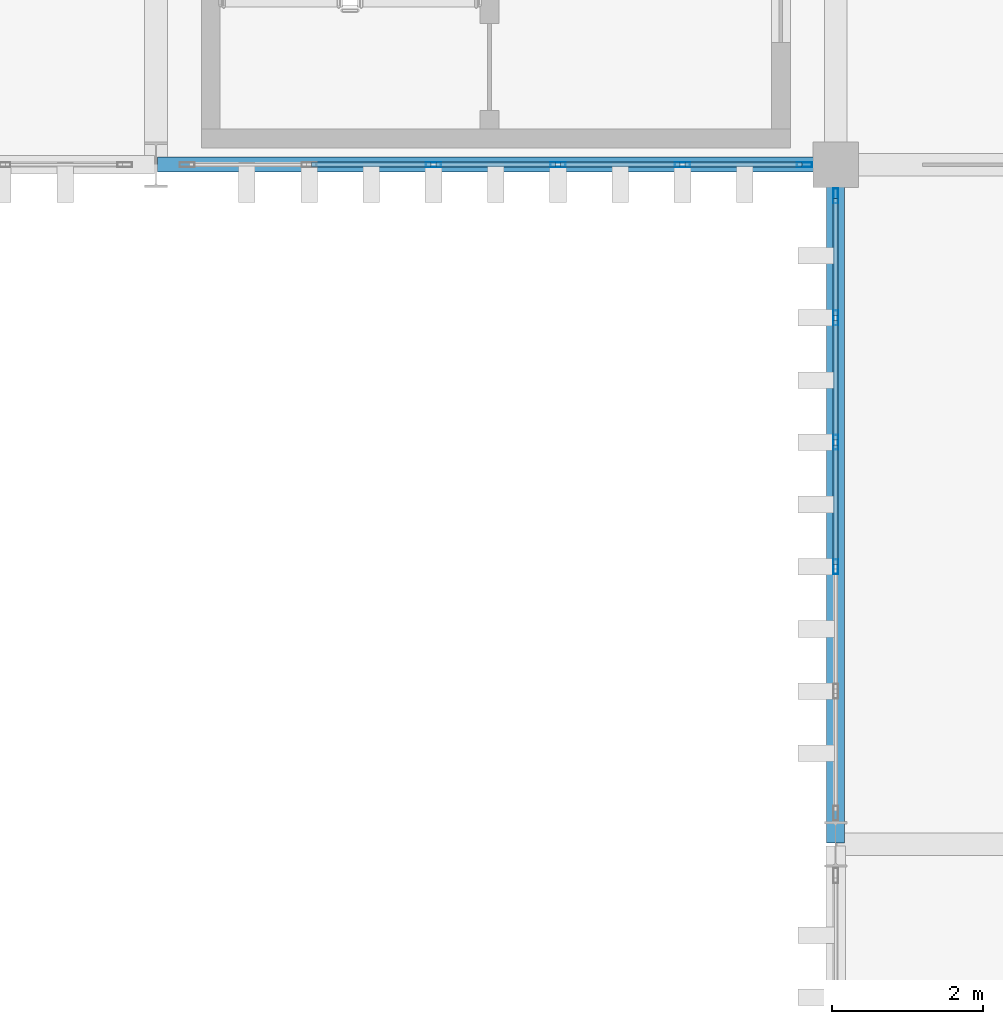
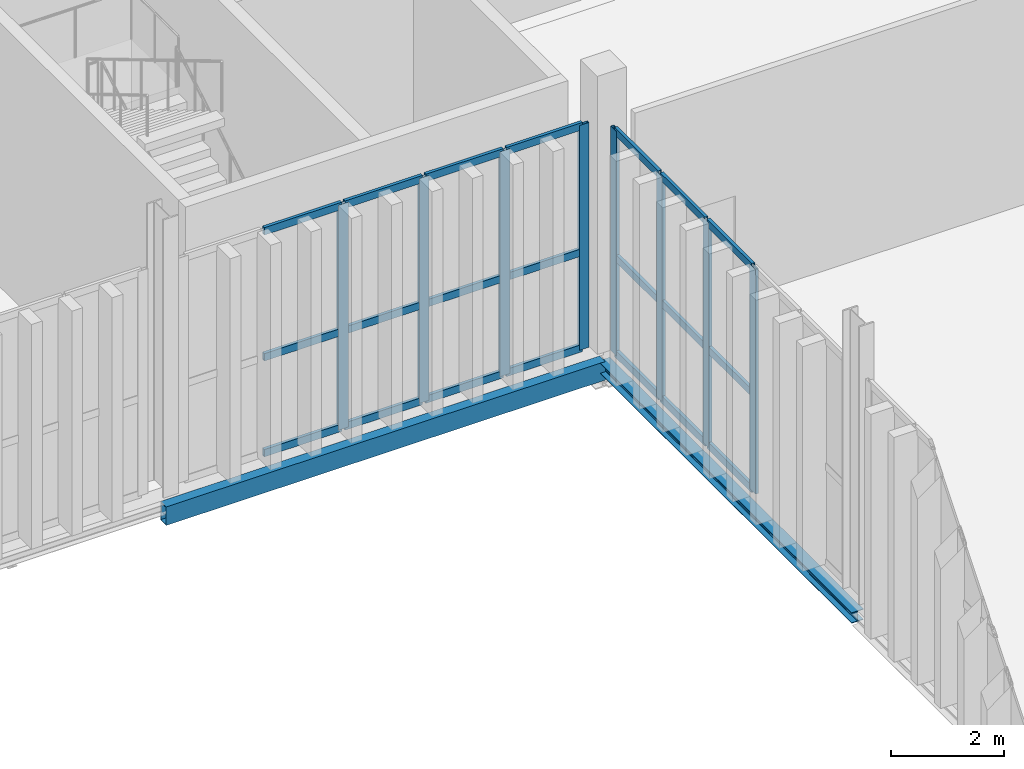
# One storey, part 86 of 237: 29 members, 2 beams, 2 elements without a shape of their own.
"""IFC4 building model written with IfcOpenShell, lengths in metres."""

from ifc_helpers import new_model, si_unit, direction, frame, origin, origin_2d, place, context, subcontext, project, spatial, hollow_rectangle, i_section, extrude, material, layer, layer_set, material_profile, profile_set, type_object, element, aggregate, save


model = new_model("IFC4")

# Units and contexts
model_context = context("Model", 3, precision=1e-05, world=origin(), true_north=direction((0.0, 1.0)))
body_context = subcontext(model_context, "Body", "Model", "MODEL_VIEW")
ifc_project = project(units=[si_unit("LENGTHUNIT", "METRE"), si_unit("AREAUNIT", "SQUARE_METRE"), si_unit("VOLUMEUNIT", "CUBIC_METRE"), si_unit("PLANEANGLEUNIT", "RADIAN"), si_unit("MASSUNIT", "GRAM", prefix="KILO")], contexts=[model_context])

# Site, building, storey
site_placement = place(None, origin())
site = spatial("IfcSite", under=ifc_project, at=site_placement, CompositionType="ELEMENT")
building_placement = place(site_placement, origin())
building = spatial("IfcBuilding", under=site, at=building_placement, Name="Barlavento Convention Centre", CompositionType="ELEMENT")
storey_placement = place(building_placement, frame((0.0, 0.0, 12.0)))
storey = spatial("IfcBuildingStorey", under=building, at=storey_placement, Name="L02", CompositionType="ELEMENT", Elevation=12.0)

# Curtain wall, members
ifc_material_1 = material(Name="Powder-coated aluminium and Low-E glass", Category="aluminium")
ifc_layer = layer(ifc_material_1, 0.195068359375)
ifc_layer_set = layer_set([ifc_layer], Name="ARC-CW-BALL-L02")
curtain_wall_type = type_object("IfcCurtainWallType", Name="ARC-CW-BALL-L02", PredefinedType="NOTDEFINED", material=ifc_layer_set)
curtain_wall_1_placement = place(storey_placement, origin())
curtain_wall_1 = element("IfcCurtainWall", 1, at=curtain_wall_1_placement, inside=storey, type_object=curtain_wall_type, Name="L02 unitised curtain wall CW07", PredefinedType="NOTDEFINED")
ifc_material_2 = material(Name="Powder-coated aluminium", Category="aluminium")
ifc_material_profile_1 = material_profile(ifc_material_2, hollow_rectangle(XDim=0.06494140625, YDim=0.199951171875, WallThickness=0.0048828125, at=origin_2d()), Name="AL-MULL 65x200x5")
ifc_profile_set_1 = profile_set([ifc_material_profile_1], Name="Powder-coated aluminium")
member_type_1 = type_object("IfcMemberType", Name="ARC-CWM-65X200", PredefinedType="MULLION", material=ifc_profile_set_1)
member_1_placement = place(storey_placement, frame((120.676025390625, 45.0, 0.0), z_axis=(0.0, 0.0, 1.0), x_axis=(0.0, 1.0, 0.0)))
member_1 = element("IfcMember", 2, at=member_1_placement, type_object=member_type_1, Name="CW07 mullion 3", PredefinedType="MULLION", context=body_context, shape_type="SweptSolid", body=[
    extrude(hollow_rectangle(XDim=0.06494140625, YDim=0.199951171875, WallThickness=0.0048828125, at=origin_2d()), origin(), (0.0, 0.0, 1.0), 4.85009765625),
])
member_2_placement = place(storey_placement, frame((122.323974609375, 45.0, 0.0), z_axis=(0.0, 0.0, 1.0), x_axis=(0.0, 1.0, 0.0)))
member_2 = element("IfcMember", 3, at=member_2_placement, type_object=member_type_1, Name="CW07 mullion 4", PredefinedType="MULLION", context=body_context, shape_type="SweptSolid", body=[
    extrude(hollow_rectangle(XDim=0.06494140625, YDim=0.199951171875, WallThickness=0.0048828125, at=origin_2d()), origin(), (0.0, 0.0, 1.0), 4.85009765625),
])
member_3_placement = place(storey_placement, frame((123.971923828125, 45.0, 0.0), z_axis=(0.0, 0.0, 1.0), x_axis=(0.0, 1.0, 0.0)))
member_3 = element("IfcMember", 4, at=member_3_placement, type_object=member_type_1, Name="CW07 mullion 5", PredefinedType="MULLION", context=body_context, shape_type="SweptSolid", body=[
    extrude(hollow_rectangle(XDim=0.06494140625, YDim=0.199951171875, WallThickness=0.0048828125, at=origin_2d()), origin(), (0.0, 0.0, 1.0), 4.85009765625),
])
member_4_placement = place(storey_placement, frame((125.58740234375, 45.0, 0.0), z_axis=(0.0, 0.0, 1.0), x_axis=(0.0, 1.0, 0.0)))
member_4 = element("IfcMember", 5, at=member_4_placement, type_object=member_type_1, Name="CW07 mullion 6", PredefinedType="MULLION", context=body_context, shape_type="SweptSolid", body=[
    extrude(hollow_rectangle(XDim=0.06494140625, YDim=0.199951171875, WallThickness=0.0048828125, at=origin_2d()), origin(), (0.0, 0.0, 1.0), 4.85009765625),
])

curtain_wall_2_placement = place(storey_placement, origin())
curtain_wall_2 = element("IfcCurtainWall", 6, at=curtain_wall_2_placement, inside=storey, type_object=curtain_wall_type, Name="L02 unitised curtain wall CW07", PredefinedType="NOTDEFINED")
member_5_placement = place(storey_placement, frame((126.0, 39.676025390625, 0.0), z_axis=(0.0, 0.0, 1.0), x_axis=(-1.0, 0.0, 0.0)))
member_5 = element("IfcMember", 7, at=member_5_placement, type_object=member_type_1, Name="CW07 mullion 3", PredefinedType="MULLION", context=body_context, shape_type="SweptSolid", body=[
    extrude(hollow_rectangle(XDim=0.06494140625, YDim=0.199951171875, WallThickness=0.0048828125, at=origin_2d()), origin(), (0.0, 0.0, 1.0), 4.85009765625),
])
member_6_placement = place(storey_placement, frame((126.0, 41.323974609375, 0.0), z_axis=(0.0, 0.0, 1.0), x_axis=(-1.0, 0.0, 0.0)))
member_6 = element("IfcMember", 8, at=member_6_placement, type_object=member_type_1, Name="CW07 mullion 4", PredefinedType="MULLION", context=body_context, shape_type="SweptSolid", body=[
    extrude(hollow_rectangle(XDim=0.06494140625, YDim=0.199951171875, WallThickness=0.0048828125, at=origin_2d()), origin(), (0.0, 0.0, 1.0), 4.85009765625),
])
member_7_placement = place(storey_placement, frame((126.0, 42.971923828125, 0.0), z_axis=(0.0, 0.0, 1.0), x_axis=(-1.0, 0.0, 0.0)))
member_7 = element("IfcMember", 9, at=member_7_placement, type_object=member_type_1, Name="CW07 mullion 5", PredefinedType="MULLION", context=body_context, shape_type="SweptSolid", body=[
    extrude(hollow_rectangle(XDim=0.06494140625, YDim=0.199951171875, WallThickness=0.0048828125, at=origin_2d()), origin(), (0.0, 0.0, 1.0), 4.85009765625),
])
member_8_placement = place(storey_placement, frame((126.0, 44.58740234375, 0.0), z_axis=(0.0, 0.0, 1.0), x_axis=(-1.0, 0.0, 0.0)))
member_8 = element("IfcMember", 10, at=member_8_placement, type_object=member_type_1, Name="CW07 mullion 6", PredefinedType="MULLION", context=body_context, shape_type="SweptSolid", body=[
    extrude(hollow_rectangle(XDim=0.06494140625, YDim=0.199951171875, WallThickness=0.0048828125, at=origin_2d()), origin(), (0.0, 0.0, 1.0), 4.85009765625),
])

# Member
ifc_material_profile_2 = material_profile(ifc_material_2, hollow_rectangle(XDim=0.06494140625, YDim=0.159912109375, WallThickness=0.0048828125, at=origin_2d()), Name="AL-TRAN 65x160x5")
ifc_profile_set_2 = profile_set([ifc_material_profile_2], Name="Powder-coated aluminium")
member_type_2 = type_object("IfcMemberType", Name="ARC-CWT-65X160", PredefinedType="USERDEFINED", material=ifc_profile_set_2)
member_9_placement = place(storey_placement, frame((119.060546875, 45.0, 0.032470703125), z_axis=(1.0, 0.0, 0.0), x_axis=(0.0, 1.0, 0.0)))
member_9 = element("IfcMember", 11, at=member_9_placement, type_object=member_type_2, Name="CW07 transom 2.1", ObjectType="TRANSOM", PredefinedType="USERDEFINED", context=body_context, shape_type="SweptSolid", body=[
    extrude(hollow_rectangle(XDim=0.06494140625, YDim=0.159912109375, WallThickness=0.0048828125, at=origin_2d()), origin(), (0.0, 0.0, 1.0), 1.5830078125),
])

member_10_placement = place(storey_placement, frame((119.060546875, 45.0, 2.10009765625), z_axis=(1.0, 0.0, 0.0), x_axis=(0.0, 1.0, 0.0)))
member_10 = element("IfcMember", 12, at=member_10_placement, type_object=member_type_2, Name="CW07 transom 2.2", ObjectType="TRANSOM", PredefinedType="USERDEFINED", context=body_context, shape_type="SweptSolid", body=[
    extrude(hollow_rectangle(XDim=0.06494140625, YDim=0.159912109375, WallThickness=0.0048828125, at=origin_2d()), origin(), (0.0, 0.0, 1.0), 1.5830078125),
])

member_11_placement = place(storey_placement, frame((119.060546875, 45.0, 4.8173828125), z_axis=(1.0, 0.0, 0.0), x_axis=(0.0, 1.0, 0.0)))
member_11 = element("IfcMember", 13, at=member_11_placement, type_object=member_type_2, Name="CW07 transom 2.3", ObjectType="TRANSOM", PredefinedType="USERDEFINED", context=body_context, shape_type="SweptSolid", body=[
    extrude(hollow_rectangle(XDim=0.06494140625, YDim=0.159912109375, WallThickness=0.0048828125, at=origin_2d()), origin(), (0.0, 0.0, 1.0), 1.5830078125),
])

member_12_placement = place(storey_placement, frame((120.70849609375, 45.0, 0.032470703125), z_axis=(1.0, 0.0, 0.0), x_axis=(0.0, 1.0, 0.0)))
member_12 = element("IfcMember", 14, at=member_12_placement, type_object=member_type_2, Name="CW07 transom 3.1", ObjectType="TRANSOM", PredefinedType="USERDEFINED", context=body_context, shape_type="SweptSolid", body=[
    extrude(hollow_rectangle(XDim=0.06494140625, YDim=0.159912109375, WallThickness=0.0048828125, at=origin_2d()), origin(), (0.0, 0.0, 1.0), 1.5830078125),
])

member_13_placement = place(storey_placement, frame((120.70849609375, 45.0, 2.10009765625), z_axis=(1.0, 0.0, 0.0), x_axis=(0.0, 1.0, 0.0)))
member_13 = element("IfcMember", 15, at=member_13_placement, type_object=member_type_2, Name="CW07 transom 3.2", ObjectType="TRANSOM", PredefinedType="USERDEFINED", context=body_context, shape_type="SweptSolid", body=[
    extrude(hollow_rectangle(XDim=0.06494140625, YDim=0.159912109375, WallThickness=0.0048828125, at=origin_2d()), origin(), (0.0, 0.0, 1.0), 1.5830078125),
])

member_14_placement = place(storey_placement, frame((120.70849609375, 45.0, 4.8173828125), z_axis=(1.0, 0.0, 0.0), x_axis=(0.0, 1.0, 0.0)))
member_14 = element("IfcMember", 16, at=member_14_placement, type_object=member_type_2, Name="CW07 transom 3.3", ObjectType="TRANSOM", PredefinedType="USERDEFINED", context=body_context, shape_type="SweptSolid", body=[
    extrude(hollow_rectangle(XDim=0.06494140625, YDim=0.159912109375, WallThickness=0.0048828125, at=origin_2d()), origin(), (0.0, 0.0, 1.0), 1.5830078125),
])

member_15_placement = place(storey_placement, frame((122.3564453125, 45.0, 0.032470703125), z_axis=(1.0, 0.0, 0.0), x_axis=(0.0, 1.0, 0.0)))
member_15 = element("IfcMember", 17, at=member_15_placement, type_object=member_type_2, Name="CW07 transom 4.1", ObjectType="TRANSOM", PredefinedType="USERDEFINED", context=body_context, shape_type="SweptSolid", body=[
    extrude(hollow_rectangle(XDim=0.06494140625, YDim=0.159912109375, WallThickness=0.0048828125, at=origin_2d()), origin(), (0.0, 0.0, 1.0), 1.5830078125),
])

member_16_placement = place(storey_placement, frame((122.3564453125, 45.0, 2.10009765625), z_axis=(1.0, 0.0, 0.0), x_axis=(0.0, 1.0, 0.0)))
member_16 = element("IfcMember", 18, at=member_16_placement, type_object=member_type_2, Name="CW07 transom 4.2", ObjectType="TRANSOM", PredefinedType="USERDEFINED", context=body_context, shape_type="SweptSolid", body=[
    extrude(hollow_rectangle(XDim=0.06494140625, YDim=0.159912109375, WallThickness=0.0048828125, at=origin_2d()), origin(), (0.0, 0.0, 1.0), 1.5830078125),
])

member_17_placement = place(storey_placement, frame((122.3564453125, 45.0, 4.8173828125), z_axis=(1.0, 0.0, 0.0), x_axis=(0.0, 1.0, 0.0)))
member_17 = element("IfcMember", 19, at=member_17_placement, type_object=member_type_2, Name="CW07 transom 4.3", ObjectType="TRANSOM", PredefinedType="USERDEFINED", context=body_context, shape_type="SweptSolid", body=[
    extrude(hollow_rectangle(XDim=0.06494140625, YDim=0.159912109375, WallThickness=0.0048828125, at=origin_2d()), origin(), (0.0, 0.0, 1.0), 1.5830078125),
])

member_18_placement = place(storey_placement, frame((124.00439453125, 45.0, 0.032470703125), z_axis=(1.0, 0.0, 0.0), x_axis=(0.0, 1.0, 0.0)))
member_18 = element("IfcMember", 20, at=member_18_placement, type_object=member_type_2, Name="CW07 transom 5.1", ObjectType="TRANSOM", PredefinedType="USERDEFINED", context=body_context, shape_type="SweptSolid", body=[
    extrude(hollow_rectangle(XDim=0.06494140625, YDim=0.159912109375, WallThickness=0.0048828125, at=origin_2d()), origin(), (0.0, 0.0, 1.0), 1.550537109375),
])

member_19_placement = place(storey_placement, frame((124.00439453125, 45.0, 2.10009765625), z_axis=(1.0, 0.0, 0.0), x_axis=(0.0, 1.0, 0.0)))
member_19 = element("IfcMember", 21, at=member_19_placement, type_object=member_type_2, Name="CW07 transom 5.2", ObjectType="TRANSOM", PredefinedType="USERDEFINED", context=body_context, shape_type="SweptSolid", body=[
    extrude(hollow_rectangle(XDim=0.06494140625, YDim=0.159912109375, WallThickness=0.0048828125, at=origin_2d()), origin(), (0.0, 0.0, 1.0), 1.550537109375),
])

member_20_placement = place(storey_placement, frame((124.00439453125, 45.0, 4.8173828125), z_axis=(1.0, 0.0, 0.0), x_axis=(0.0, 1.0, 0.0)))
member_20 = element("IfcMember", 22, at=member_20_placement, type_object=member_type_2, Name="CW07 transom 5.3", ObjectType="TRANSOM", PredefinedType="USERDEFINED", context=body_context, shape_type="SweptSolid", body=[
    extrude(hollow_rectangle(XDim=0.06494140625, YDim=0.159912109375, WallThickness=0.0048828125, at=origin_2d()), origin(), (0.0, 0.0, 1.0), 1.550537109375),
])

aggregate(curtain_wall_1, [member_1, member_2, member_3, member_4, member_9, member_10, member_11, member_12, member_13, member_14, member_15, member_16, member_17, member_18, member_19, member_20])

member_21_placement = place(storey_placement, frame((126.0, 39.70849609375, 0.032470703125), z_axis=(0.0, 1.0, 0.0), x_axis=(-1.0, 0.0, 0.0)))
member_21 = element("IfcMember", 23, at=member_21_placement, type_object=member_type_2, Name="CW07 transom 3.1", ObjectType="TRANSOM", PredefinedType="USERDEFINED", context=body_context, shape_type="SweptSolid", body=[
    extrude(hollow_rectangle(XDim=0.06494140625, YDim=0.159912109375, WallThickness=0.0048828125, at=origin_2d()), origin(), (0.0, 0.0, 1.0), 1.5830078125),
])

member_22_placement = place(storey_placement, frame((126.0, 39.70849609375, 2.10009765625), z_axis=(0.0, 1.0, 0.0), x_axis=(-1.0, 0.0, 0.0)))
member_22 = element("IfcMember", 24, at=member_22_placement, type_object=member_type_2, Name="CW07 transom 3.2", ObjectType="TRANSOM", PredefinedType="USERDEFINED", context=body_context, shape_type="SweptSolid", body=[
    extrude(hollow_rectangle(XDim=0.06494140625, YDim=0.159912109375, WallThickness=0.0048828125, at=origin_2d()), origin(), (0.0, 0.0, 1.0), 1.5830078125),
])

member_23_placement = place(storey_placement, frame((126.0, 39.70849609375, 4.8173828125), z_axis=(0.0, 1.0, 0.0), x_axis=(-1.0, 0.0, 0.0)))
member_23 = element("IfcMember", 25, at=member_23_placement, type_object=member_type_2, Name="CW07 transom 3.3", ObjectType="TRANSOM", PredefinedType="USERDEFINED", context=body_context, shape_type="SweptSolid", body=[
    extrude(hollow_rectangle(XDim=0.06494140625, YDim=0.159912109375, WallThickness=0.0048828125, at=origin_2d()), origin(), (0.0, 0.0, 1.0), 1.5830078125),
])

member_24_placement = place(storey_placement, frame((126.0, 41.3564453125, 0.032470703125), z_axis=(0.0, 1.0, 0.0), x_axis=(-1.0, 0.0, 0.0)))
member_24 = element("IfcMember", 26, at=member_24_placement, type_object=member_type_2, Name="CW07 transom 4.1", ObjectType="TRANSOM", PredefinedType="USERDEFINED", context=body_context, shape_type="SweptSolid", body=[
    extrude(hollow_rectangle(XDim=0.06494140625, YDim=0.159912109375, WallThickness=0.0048828125, at=origin_2d()), origin(), (0.0, 0.0, 1.0), 1.5830078125),
])

member_25_placement = place(storey_placement, frame((126.0, 41.3564453125, 2.10009765625), z_axis=(0.0, 1.0, 0.0), x_axis=(-1.0, 0.0, 0.0)))
member_25 = element("IfcMember", 27, at=member_25_placement, type_object=member_type_2, Name="CW07 transom 4.2", ObjectType="TRANSOM", PredefinedType="USERDEFINED", context=body_context, shape_type="SweptSolid", body=[
    extrude(hollow_rectangle(XDim=0.06494140625, YDim=0.159912109375, WallThickness=0.0048828125, at=origin_2d()), origin(), (0.0, 0.0, 1.0), 1.5830078125),
])

member_26_placement = place(storey_placement, frame((126.0, 41.3564453125, 4.8173828125), z_axis=(0.0, 1.0, 0.0), x_axis=(-1.0, 0.0, 0.0)))
member_26 = element("IfcMember", 28, at=member_26_placement, type_object=member_type_2, Name="CW07 transom 4.3", ObjectType="TRANSOM", PredefinedType="USERDEFINED", context=body_context, shape_type="SweptSolid", body=[
    extrude(hollow_rectangle(XDim=0.06494140625, YDim=0.159912109375, WallThickness=0.0048828125, at=origin_2d()), origin(), (0.0, 0.0, 1.0), 1.5830078125),
])

member_27_placement = place(storey_placement, frame((126.0, 43.00439453125, 0.032470703125), z_axis=(0.0, 1.0, 0.0), x_axis=(-1.0, 0.0, 0.0)))
member_27 = element("IfcMember", 29, at=member_27_placement, type_object=member_type_2, Name="CW07 transom 5.1", ObjectType="TRANSOM", PredefinedType="USERDEFINED", context=body_context, shape_type="SweptSolid", body=[
    extrude(hollow_rectangle(XDim=0.06494140625, YDim=0.159912109375, WallThickness=0.0048828125, at=origin_2d()), origin(), (0.0, 0.0, 1.0), 1.550537109375),
])

member_28_placement = place(storey_placement, frame((126.0, 43.00439453125, 2.10009765625), z_axis=(0.0, 1.0, 0.0), x_axis=(-1.0, 0.0, 0.0)))
member_28 = element("IfcMember", 30, at=member_28_placement, type_object=member_type_2, Name="CW07 transom 5.2", ObjectType="TRANSOM", PredefinedType="USERDEFINED", context=body_context, shape_type="SweptSolid", body=[
    extrude(hollow_rectangle(XDim=0.06494140625, YDim=0.159912109375, WallThickness=0.0048828125, at=origin_2d()), origin(), (0.0, 0.0, 1.0), 1.550537109375),
])

member_29_placement = place(storey_placement, frame((126.0, 43.00439453125, 4.8173828125), z_axis=(0.0, 1.0, 0.0), x_axis=(-1.0, 0.0, 0.0)))
member_29 = element("IfcMember", 31, at=member_29_placement, type_object=member_type_2, Name="CW07 transom 5.3", ObjectType="TRANSOM", PredefinedType="USERDEFINED", context=body_context, shape_type="SweptSolid", body=[
    extrude(hollow_rectangle(XDim=0.06494140625, YDim=0.159912109375, WallThickness=0.0048828125, at=origin_2d()), origin(), (0.0, 0.0, 1.0), 1.550537109375),
])

aggregate(curtain_wall_2, [member_5, member_6, member_7, member_8, member_21, member_22, member_23, member_24, member_25, member_26, member_27, member_28, member_29])

# Beams
ifc_material_3 = material(Name="Steel S355", Category="steel")
ifc_material_profile_3 = material_profile(ifc_material_3, i_section(OverallWidth=0.239990234375, OverallDepth=0.22998046875, WebThickness=0.007568359375, FlangeThickness=0.011962890625, FilletRadius=0.02099609375, at=origin_2d()), Name="HEA 240")
ifc_profile_set_3 = profile_set([ifc_material_profile_3], Name="Steel S355")
beam_type_1 = type_object("IfcBeamType", Name="STR-BM-SPN-HEA240", PredefinedType="SPANDREL", material=ifc_profile_set_3)
beam_1_placement = place(storey_placement, frame((126.0, 36.02001953125, -0.485107421875), z_axis=(0.0, 1.0, 0.0), x_axis=(-1.0, 0.0, 0.0)))
element("IfcBeam", 32, at=beam_1_placement, inside=storey, type_object=beam_type_1, Name="L02 grid girder SP05", PredefinedType="SPANDREL", context=body_context, shape_type="SweptSolid", body=[
    extrude(i_section(OverallWidth=0.239990234375, OverallDepth=0.22998046875, WebThickness=0.007568359375, FlangeThickness=0.011962890625, FilletRadius=0.02099609375, at=origin_2d()), origin(), (0.0, 0.0, 1.0), 8.9599609375),
])
ifc_material_profile_4 = material_profile(ifc_material_3, hollow_rectangle(XDim=0.199951171875, YDim=0.39990234375, WallThickness=0.01611328125, at=origin_2d()), Name="RHS 400x200x16.0")
ifc_profile_set_4 = profile_set([ifc_material_profile_4], Name="Steel S355")
beam_type_2 = type_object("IfcBeamType", Name="STR-BM-SPN-RHS400", PredefinedType="SPANDREL", material=ifc_profile_set_4)
beam_2_placement = place(storey_placement, frame((117.02001953125, 45.0, -0.570068359375), z_axis=(1.0, 0.0, 0.0), x_axis=(0.0, 1.0, 0.0)))
element("IfcBeam", 33, at=beam_2_placement, inside=storey, type_object=beam_type_2, Name="L02 primary girder SP06", PredefinedType="SPANDREL", context=body_context, shape_type="SweptSolid", body=[
    extrude(hollow_rectangle(XDim=0.199951171875, YDim=0.39990234375, WallThickness=0.01611328125, at=origin_2d()), origin(), (0.0, 0.0, 1.0), 8.9599609375),
])

save(model, "model.ifc")
